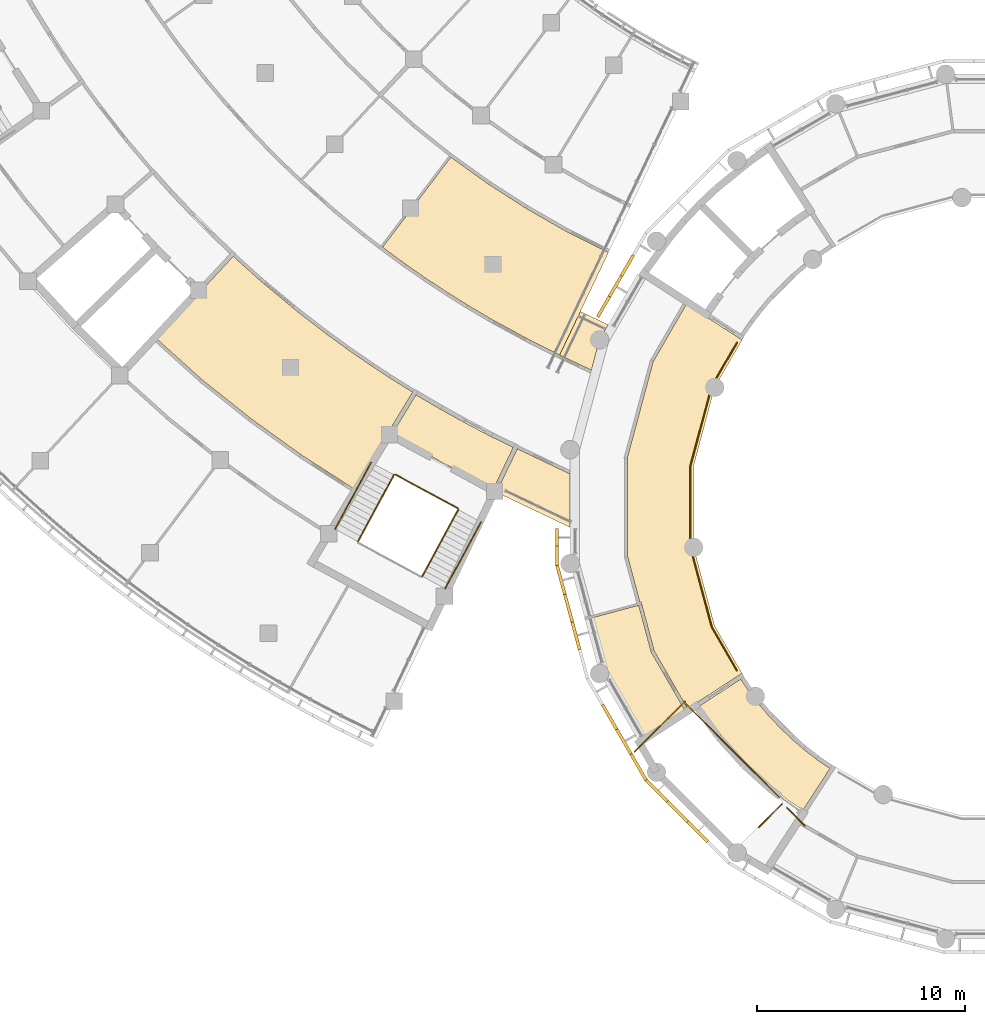
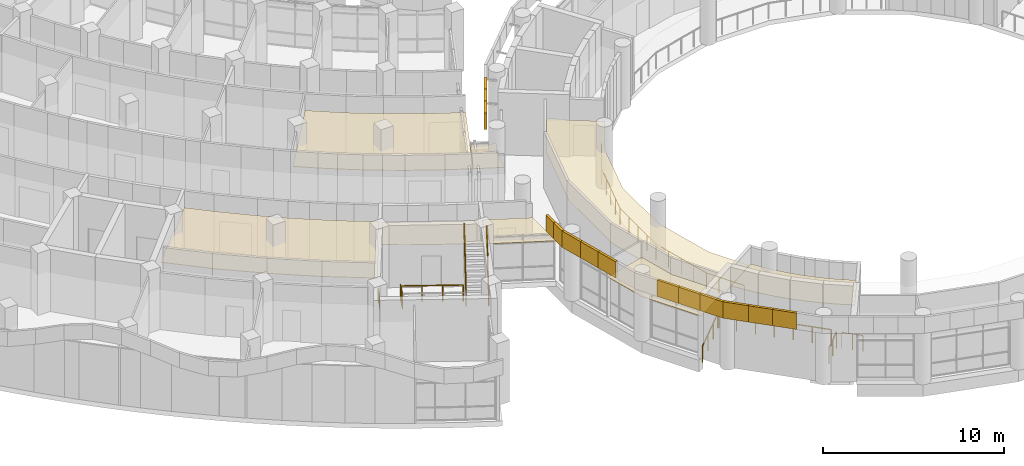
# One storey, part 92 of 109: 22 coverings, 10 railings.
"""IFC4 building model written with IfcOpenShell, lengths in metres."""

from ifc_helpers import new_model, si_unit, direction, frame, origin, origin_2d, place, context, subcontext, project, spatial, polyline, circle, outline, extrude, material, layer, layer_set, type_object, element, save


model = new_model("IFC4")

# Units and contexts
model_context = context("Model", 3, precision=1e-05, world=origin(), true_north=direction((0.0, 1.0)))
body_context = subcontext(model_context, "Body", "Model", "MODEL_VIEW")
ifc_project = project(units=[si_unit("LENGTHUNIT", "METRE"), si_unit("AREAUNIT", "SQUARE_METRE"), si_unit("VOLUMEUNIT", "CUBIC_METRE"), si_unit("PLANEANGLEUNIT", "RADIAN"), si_unit("MASSUNIT", "GRAM", prefix="KILO")], contexts=[model_context])

# Site, building, storey
site_placement = place(None, origin())
site = spatial("IfcSite", under=ifc_project, at=site_placement, CompositionType="ELEMENT")
building_placement = place(site_placement, origin())
building = spatial("IfcBuilding", under=site, at=building_placement, Name="Bougainvillea Quay General Hospital", CompositionType="ELEMENT")
storey_placement = place(building_placement, frame((0.0, 0.0, 12.60009765625)))
storey = spatial("IfcBuildingStorey", under=building, at=storey_placement, Name="L02", CompositionType="ELEMENT", Elevation=12.60009765625)

# Coverings
ifc_material_1 = material(Name="Powder-coated aluminium fascia, white", Category="aluminium")
ifc_layer_1 = layer(ifc_material_1, 0.14990234375)
ifc_layer_set_1 = layer_set([ifc_layer_1], Name="Powder-coated aluminium fascia, white")
covering_type_1 = type_object("IfcCoveringType", Name="Aluminium fascia band white 150x1100", PredefinedType="CLADDING", material=ifc_layer_set_1)
covering_1_placement = place(storey_placement, frame((87.830078125, 72.93994140625, 3.64990234375), z_axis=(0.0, 0.0, 1.0), x_axis=(0.0, -1.0, 0.0)))
element("IfcCovering", 1, at=covering_1_placement, inside=storey, type_object=covering_type_1, Name="Fascia band white e0 1", PredefinedType="CLADDING", context=body_context, shape_type="SweptSolid", body=[
    extrude(outline(polyline([(0.0, 0.0), (0.84033203125, 0.0), (0.84033203125, -0.150146484375), (0.0, -0.150146484375), (0.0, 0.0)])), origin(), (0.0, 0.0, 1.0), 1.10009765625),
])
covering_2_placement = place(storey_placement, frame((87.830078125, 72.099609375, 3.64990234375), z_axis=(0.0, 0.0, 1.0), x_axis=(0.0, -1.0, 0.0)))
element("IfcCovering", 2, at=covering_2_placement, inside=storey, type_object=covering_type_1, Name="Fascia band white e0 2", PredefinedType="CLADDING", context=body_context, shape_type="SweptSolid", body=[
    extrude(outline(polyline([(0.0, 0.0), (0.9130859375, 0.0), (0.932861328125, -0.150146484375), (0.0, -0.150146484375), (0.0, 0.0)])), origin(), (0.0, 0.0, 1.0), 1.10009765625),
])
covering_3_placement = place(storey_placement, frame((87.830078125, 71.1865234375, 3.64990234375), z_axis=(0.0, 0.0, 1.0), x_axis=(0.258905250026, -0.965902723626, 0.0)))
element("IfcCovering", 3, at=covering_3_placement, inside=storey, type_object=covering_type_1, Name="Fascia band white e0 3", PredefinedType="CLADDING", context=body_context, shape_type="SweptSolid", body=[
    extrude(outline(polyline([(0.0, 0.0), (1.4427484812010494, -1.1102230246251565e-16), (1.442696922251136, -0.1501250372529882), (-0.019772609412171165, -0.15014685065487446), (0.0, 0.0)])), origin(), (0.0, 0.0, 1.0), 1.10009765625),
])
covering_4_placement = place(storey_placement, frame((88.20361328125, 69.79296875, 3.64990234375), z_axis=(0.0, 0.0, 1.0), x_axis=(0.258848876884, -0.965917832393, 0.0)))
element("IfcCovering", 4, at=covering_4_placement, inside=storey, type_object=covering_type_1, Name="Fascia band white e0 4", PredefinedType="CLADDING", context=body_context, shape_type="SweptSolid", body=[
    extrude(outline(polyline([(0.0, 0.0), (1.3704379651734342, -5.551115123125783e-17), (1.3703951679276272, -0.15012504000642976), (-4.279724580715655e-05, -0.15012504000642976), (0.0, 0.0)])), origin(), (0.0, 0.0, 1.0), 1.10009765625),
])
covering_5_placement = place(storey_placement, frame((88.558349609375, 68.46923828125, 3.64990234375), z_axis=(0.0, 0.0, 1.0), x_axis=(0.258804342537, -0.96592976571, 0.0)))
element("IfcCovering", 5, at=covering_5_placement, inside=storey, type_object=covering_type_1, Name="Fascia band white e0 5", PredefinedType="CLADDING", context=body_context, shape_type="SweptSolid", body=[
    extrude(outline(polyline([(0.0, 0.0), (1.3706737864135623, -5.551115123125783e-17), (1.370637910749763, -0.15012504182005457), (-3.5875663799166124e-05, -0.15012504182005454), (0.0, 0.0)])), origin(), (0.0, 0.0, 1.0), 1.10009765625),
])
for number, where, z_axis, x_axis, name in (
    (6, (90.0078125, 64.501953125, 3.64990234375), (0.0, 0.0, 1.0), (0.499989712218, -0.866031343357, 0.0), "Fascia band white e0 8"),
    (7, (90.693115234375, 63.31494140625, 3.64990234375), (0.0, 0.0, 1.0), (0.499989712218, -0.866031343357, 0.0), "Fascia band white e0 9"),
):
    element("IfcCovering", number, at=place(storey_placement, frame(where, z_axis=z_axis, x_axis=x_axis)), inside=storey, type_object=covering_type_1, Name=name, PredefinedType="CLADDING", context=body_context, shape_type="SweptSolid", body=[
        extrude(outline(polyline([(0.0, 0.0), (1.3706336703115394, 0.0), (1.3706036643327093, -0.14995740144450087), (-3.0005978829975022e-05, -0.14995740144450084), (0.0, 0.0)])), origin(), (0.0, 0.0, 1.0), 1.10009765625),
    ])
covering_6_placement = place(storey_placement, frame((91.37841796875, 62.1279296875, 3.64990234375), z_axis=(0.0, 0.0, 1.0), x_axis=(0.500015396624, -0.866016514357, 0.0)))
element("IfcCovering", 8, at=covering_6_placement, inside=storey, type_object=covering_type_1, Name="Fascia band white e0 10", PredefinedType="CLADDING", context=body_context, shape_type="SweptSolid", body=[
    extrude(outline(polyline([(0.0, 0.0), (1.4428266644293797, 0.0), (1.4626866906226388, -0.15016746703797101), (-3.44533927520152e-05, -0.1499574004886377), (0.0, 0.0)])), origin(), (0.0, 0.0, 1.0), 1.10009765625),
])
covering_7_placement = place(storey_placement, frame((92.099853515625, 60.87841796875, 3.64990234375), z_axis=(0.0, 0.0, 1.0), x_axis=(0.707106781187, -0.707106781187, 0.0)))
element("IfcCovering", 9, at=covering_7_placement, inside=storey, type_object=covering_type_1, Name="Fascia band white e0 11", PredefinedType="CLADDING", context=body_context, shape_type="SweptSolid", body=[
    extrude(outline(polyline([(0.0, 0.0), (1.4428707219621983, 0.0), (1.4428707219621983, -0.15019113760554115), (-0.01968021803107091, -0.1501911376055411), (0.0, 0.0)])), origin(), (0.0, 0.0, 1.0), 1.10009765625),
])
for number, where, z_axis, x_axis, name in (
    (10, (93.1201171875, 59.858154296875, 3.64990234375), (0.0, 0.0, 1.0), (0.707106781187, -0.707106781187, 0.0), "Fascia band white e0 12"),
    (11, (94.089111328125, 58.88916015625, 3.64990234375), (0.0, 0.0, 1.0), (0.707106781187, -0.707106781187, 0.0), "Fascia band white e0 13"),
):
    element("IfcCovering", number, at=place(storey_placement, frame(where, z_axis=z_axis, x_axis=x_axis)), inside=storey, type_object=covering_type_1, Name=name, PredefinedType="CLADDING", context=body_context, shape_type="SweptSolid", body=[
        extrude(outline(polyline([(0.0, 0.0), (1.370364655531937, 0.0), (1.370364655531937, -0.15019113760554115), (0.0, -0.15019113760554112), (0.0, 0.0)])), origin(), (0.0, 0.0, 1.0), 1.10009765625),
    ])
for number, where, z_axis, x_axis, name in (
    (12, (91.490478515625, 86.06591796875, 3.64990234375), (0.0, 0.0, 1.0), (-0.499986657325, -0.866033107044, 0.0), "Fascia band white e1 40"),
    (13, (90.917236328125, 85.072998046875, 3.64990234375), (0.0, 0.0, 1.0), (-0.499986657325, -0.866033107044, 0.0), "Fascia band white e1 41"),
):
    element("IfcCovering", number, at=place(storey_placement, frame(where, z_axis=z_axis, x_axis=x_axis)), inside=storey, type_object=covering_type_1, Name=name, PredefinedType="CLADDING", context=body_context, shape_type="SweptSolid", body=[
        extrude(outline(polyline([(0.0, 0.0), (1.1465149701534827, 0.0), (1.1465444471637856, -0.14995740154941278), (2.9477010302911277e-05, -0.14995740154941273), (0.0, 0.0)])), origin(), (0.0, 0.0, 1.0), 1.10009765625),
    ])
covering_8_placement = place(storey_placement, frame((90.343994140625, 84.080078125, 3.64990234375), z_axis=(0.0, 0.0, 1.0), x_axis=(-0.499894466757, -0.866086324858, 0.0)))
element("IfcCovering", 14, at=covering_8_placement, inside=storey, type_object=covering_type_1, Name="Fascia band white e1 42", PredefinedType="CLADDING", context=body_context, shape_type="SweptSolid", body=[
    extrude(outline(polyline([(0.0, 0.0), (1.1467264105144213, 0.0), (1.1467399248169607, -0.14995740383758843), (1.351430253937469e-05, -0.1499574038375884), (0.0, 0.0)])), origin(), (0.0, 0.0, 1.0), 1.10009765625),
])

# Railings
ifc_material_2 = material(Name="Stainless steel guard, brushed grade 316", Category="steel")
railing_type_1 = type_object("IfcRailingType", Name="Stainless steel guard 1100", PredefinedType="GUARDRAIL", material=ifc_material_2)
railing_1_placement = place(storey_placement, frame((96.409912109375, 66.111083984375, 0.0)))
element("IfcRailing", 15, at=railing_1_placement, inside=storey, type_object=railing_type_1, Name="Guard 0-05", PredefinedType="GUARDRAIL", context=body_context, shape_type="SweptSolid", body=[
    extrude(circle(Radius=0.02392578125, at=origin_2d()), frame((0.0, 0.0, 1.076171875), z_axis=(-0.500270859977, 0.865868966217, 0.0), x_axis=(-0.865868966217, -0.500270859977, 0.0)), (0.0, 0.0, 1.0), 2.414794921875),
    extrude(circle(Radius=0.02392578125, at=origin_2d()), frame((-1.2080078125, 2.0908203125, 1.076171875), z_axis=(-0.258899619871, 0.965904232743, 0.0), x_axis=(-0.965904232743, -0.258899619871, 0.0)), (0.0, 0.0, 1.0), 3.954833984375),
    extrude(circle(Radius=0.02392578125, at=origin_2d()), frame((-2.23193359375, 5.910888671875, 1.076171875), z_axis=(0.0, 1.0, 0.0), x_axis=(-1.0, 0.0, 0.0)), (0.0, 0.0, 1.0), 3.9560546875),
    extrude(circle(Radius=0.02392578125, at=origin_2d()), frame((-2.23193359375, 9.866943359375, 1.076171875), z_axis=(0.258899619871, 0.965904232743, 0.0), x_axis=(-0.965904232743, 0.258899619871, 0.0)), (0.0, 0.0, 1.0), 3.954833984375),
    extrude(circle(Radius=0.02392578125, at=origin_2d()), frame((-1.2080078125, 13.68701171875, 1.076171875), z_axis=(0.500270859977, 0.865868966217, 0.0), x_axis=(-0.865868966217, 0.500270859977, 0.0)), (0.0, 0.0, 1.0), 2.414794921875),
    extrude(circle(Radius=0.02099609375, at=origin_2d()), origin(), (0.0, 0.0, 1.0), 1.052001953125),
    extrude(circle(Radius=0.02099609375, at=origin_2d()), frame((-0.402587890625, 0.697021484375, 0.0)), (0.0, 0.0, 1.0), 1.052001953125),
    extrude(circle(Radius=0.02099609375, at=origin_2d()), frame((-0.805419921875, 1.393798828125, 0.0)), (0.0, 0.0, 1.0), 1.052001953125),
    extrude(circle(Radius=0.02099609375, at=origin_2d()), frame((-1.2080078125, 2.0908203125, 0.0)), (0.0, 0.0, 1.0), 1.052001953125),
    extrude(circle(Radius=0.02099609375, at=origin_2d()), frame((-1.4638671875, 3.0458984375, 0.0)), (0.0, 0.0, 1.0), 1.052001953125),
    extrude(circle(Radius=0.02099609375, at=origin_2d()), frame((-1.719970703125, 4.0009765625, 0.0)), (0.0, 0.0, 1.0), 1.052001953125),
    extrude(circle(Radius=0.02099609375, at=origin_2d()), frame((-1.97607421875, 4.955810546875, 0.0)), (0.0, 0.0, 1.0), 1.052001953125),
    extrude(circle(Radius=0.02099609375, at=origin_2d()), frame((-2.23193359375, 5.910888671875, 0.0)), (0.0, 0.0, 1.0), 1.052001953125),
    extrude(circle(Radius=0.02099609375, at=origin_2d()), frame((-2.23193359375, 6.89990234375, 0.0)), (0.0, 0.0, 1.0), 1.052001953125),
    extrude(circle(Radius=0.02099609375, at=origin_2d()), frame((-2.23193359375, 7.888916015625, 0.0)), (0.0, 0.0, 1.0), 1.052001953125),
    extrude(circle(Radius=0.02099609375, at=origin_2d()), frame((-2.23193359375, 8.8779296875, 0.0)), (0.0, 0.0, 1.0), 1.052001953125),
    extrude(circle(Radius=0.02099609375, at=origin_2d()), frame((-2.23193359375, 9.866943359375, 0.0)), (0.0, 0.0, 1.0), 1.052001953125),
    extrude(circle(Radius=0.02099609375, at=origin_2d()), frame((-1.97607421875, 10.822021484375, 0.0)), (0.0, 0.0, 1.0), 1.052001953125),
    extrude(circle(Radius=0.02099609375, at=origin_2d()), frame((-1.719970703125, 11.77685546875, 0.0)), (0.0, 0.0, 1.0), 1.052001953125),
    extrude(circle(Radius=0.02099609375, at=origin_2d()), frame((-1.4638671875, 12.73193359375, 0.0)), (0.0, 0.0, 1.0), 1.052001953125),
    extrude(circle(Radius=0.02099609375, at=origin_2d()), frame((-1.2080078125, 13.68701171875, 0.0)), (0.0, 0.0, 1.0), 1.052001953125),
    extrude(circle(Radius=0.02099609375, at=origin_2d()), frame((-0.805419921875, 14.384033203125, 0.0)), (0.0, 0.0, 1.0), 1.052001953125),
    extrude(circle(Radius=0.02099609375, at=origin_2d()), frame((-0.402587890625, 15.080810546875, 0.0)), (0.0, 0.0, 1.0), 1.052001953125),
    extrude(circle(Radius=0.02099609375, at=origin_2d()), frame((0.0, 15.77783203125, 0.0)), (0.0, 0.0, 1.0), 1.052001953125),
])
ifc_material_3 = material(Name="Stainless steel 304 balustrade", Category="steel")
railing_type_2 = type_object("IfcRailingType", Name="Stair guard 1100", PredefinedType="GUARDRAIL", material=ifc_material_3)
railing_2_placement = place(storey_placement, frame((79.900634765625, 75.52734375, 0.14990234375)))
element("IfcRailing", 16, at=railing_2_placement, inside=storey, type_object=railing_type_2, Name="L02 ST-W1 stair guard 1", PredefinedType="GUARDRAIL", context=body_context, shape_type="SweptSolid", body=[
    extrude(circle(Radius=0.02392578125, at=origin_2d()), frame((0.0, 0.0, 1.076171875), z_axis=(-0.419359371262, -0.775338896761, 0.472215324724), x_axis=(0.879584397313, -0.475742880139, 0.0)), (0.0, 0.0, 1.0), 4.12939453125),
    extrude(circle(Radius=0.02099609375, at=origin_2d()), origin(), (0.0, 0.0, 1.0), 1.052001953125),
    extrude(circle(Radius=0.02099609375, at=origin_2d()), frame((-0.432861328125, -0.80029296875, 0.487548828125)), (0.0, 0.0, 1.0), 1.052001953125),
    extrude(circle(Radius=0.02099609375, at=origin_2d()), frame((-0.86572265625, -1.600830078125, 0.97509765625)), (0.0, 0.0, 1.0), 1.052001953125),
    extrude(circle(Radius=0.02099609375, at=origin_2d()), frame((-1.298828125, -2.4013671875, 1.46240234375)), (0.0, 0.0, 1.0), 1.052001953125),
    extrude(circle(Radius=0.02099609375, at=origin_2d()), frame((-1.731689453125, -3.20166015625, 1.949951171875)), (0.0, 0.0, 1.0), 1.052001953125),
])
railing_3_placement = place(storey_placement, frame((81.2666015625, 70.650146484375, 2.25)))
element("IfcRailing", 17, at=railing_3_placement, inside=storey, type_object=railing_type_2, Name="L02 ST-W1 stair guard 3", PredefinedType="GUARDRAIL", context=body_context, shape_type="SweptSolid", body=[
    extrude(circle(Radius=0.02392578125, at=origin_2d()), frame((0.0, 0.0, 1.076171875), z_axis=(0.419359371262, 0.775338896761, 0.472215324724), x_axis=(-0.879584397313, 0.475742880139, 0.0)), (0.0, 0.0, 1.0), 4.12939453125),
    extrude(circle(Radius=0.02099609375, at=origin_2d()), origin(), (0.0, 0.0, 1.0), 1.052001953125),
    extrude(circle(Radius=0.02099609375, at=origin_2d()), frame((0.432861328125, 0.80029296875, 0.487548828125)), (0.0, 0.0, 1.0), 1.052001953125),
    extrude(circle(Radius=0.02099609375, at=origin_2d()), frame((0.86572265625, 1.600830078125, 0.97509765625)), (0.0, 0.0, 1.0), 1.052001953125),
    extrude(circle(Radius=0.02099609375, at=origin_2d()), frame((1.298828125, 2.4013671875, 1.46240234375)), (0.0, 0.0, 1.0), 1.052001953125),
    extrude(circle(Radius=0.02099609375, at=origin_2d()), frame((1.731689453125, 3.20166015625, 1.949951171875)), (0.0, 0.0, 1.0), 1.052001953125),
])
railing_4_placement = place(storey_placement, frame((79.96826171875, 75.547607421875, 0.0)))
element("IfcRailing", 18, at=railing_4_placement, inside=storey, type_object=railing_type_2, Name="L02 ST-W1 stair guard 4", PredefinedType="GUARDRAIL", context=body_context, shape_type="SweptSolid", body=[
    extrude(circle(Radius=0.02392578125, at=origin_2d()), frame((0.0, 0.0, 1.076171875), z_axis=(0.879580645355, -0.475749816939, 0.0), x_axis=(0.475749816939, 0.879580645355, 0.0)), (0.0, 0.0, 1.0), 3.421875),
    extrude(circle(Radius=0.02099609375, at=origin_2d()), origin(), (0.0, 0.0, 1.0), 1.052001953125),
    extrude(circle(Radius=0.02099609375, at=origin_2d()), frame((1.003173828125, -0.542724609375, 0.0)), (0.0, 0.0, 1.0), 1.052001953125),
    extrude(circle(Radius=0.02099609375, at=origin_2d()), frame((2.006591796875, -1.085205078125, 0.0)), (0.0, 0.0, 1.0), 1.052001953125),
    extrude(circle(Radius=0.02099609375, at=origin_2d()), frame((3.009765625, -1.6279296875, 0.0)), (0.0, 0.0, 1.0), 1.052001953125),
])
railing_5_placement = place(storey_placement, frame((93.911865234375, 64.6220703125, 0.0)))
element("IfcRailing", 19, at=railing_5_placement, inside=storey, type_object=railing_type_2, Name="L02 ST-H2 top well guard 3", PredefinedType="GUARDRAIL", context=body_context, shape_type="SweptSolid", body=[
    extrude(circle(Radius=0.02392578125, at=origin_2d()), frame((0.0, 0.0, 1.076171875), z_axis=(-0.707106781187, -0.707106781187, 0.0), x_axis=(0.707106781187, -0.707106781187, 0.0)), (0.0, 0.0, 1.0), 3.426025390625),
    extrude(circle(Radius=0.02099609375, at=origin_2d()), origin(), (0.0, 0.0, 1.0), 1.052001953125),
    extrude(circle(Radius=0.02099609375, at=origin_2d()), frame((-0.8076171875, -0.8076171875, 0.0)), (0.0, 0.0, 1.0), 1.052001953125),
    extrude(circle(Radius=0.02099609375, at=origin_2d()), frame((-1.614990234375, -1.614990234375, 0.0)), (0.0, 0.0, 1.0), 1.052001953125),
    extrude(circle(Radius=0.02099609375, at=origin_2d()), frame((-2.422607421875, -2.422607421875, 0.0)), (0.0, 0.0, 1.0), 1.052001953125),
])
railing_6_placement = place(storey_placement, frame((98.576904296875, 59.677490234375, 0.0)))
element("IfcRailing", 20, at=railing_6_placement, inside=storey, type_object=railing_type_2, Name="L02 ST-H2 top well guard 1", PredefinedType="GUARDRAIL", context=body_context, shape_type="SweptSolid", body=[
    extrude(circle(Radius=0.02392578125, at=origin_2d()), frame((0.0, 0.0, 1.076171875), z_axis=(-0.707106781187, -0.707106781187, 0.0), x_axis=(0.707106781187, -0.707106781187, 0.0)), (0.0, 0.0, 1.0), 1.5654296875),
    extrude(circle(Radius=0.02099609375, at=origin_2d()), origin(), (0.0, 0.0, 1.0), 1.052001953125),
    extrude(circle(Radius=0.02099609375, at=origin_2d()), frame((-0.553466796875, -0.553466796875, 0.0)), (0.0, 0.0, 1.0), 1.052001953125),
    extrude(circle(Radius=0.02099609375, at=origin_2d()), frame((-1.10693359375, -1.10693359375, 0.0)), (0.0, 0.0, 1.0), 1.052001953125),
])
railing_7_placement = place(storey_placement, frame((98.444091796875, 60.01904296875, 0.0)))
element("IfcRailing", 21, at=railing_7_placement, inside=storey, type_object=railing_type_2, Name="L02 ST-H2 top well guard 2", PredefinedType="GUARDRAIL", context=body_context, shape_type="SweptSolid", body=[
    extrude(circle(Radius=0.02392578125, at=origin_2d()), frame((0.0, 0.0, 1.076171875), z_axis=(-0.707106781187, 0.707106781187, 0.0), x_axis=(-0.707106781187, -0.707106781187, 0.0)), (0.0, 0.0, 1.0), 6.509765625),
    extrude(circle(Radius=0.02099609375, at=origin_2d()), origin(), (0.0, 0.0, 1.0), 1.052001953125),
    extrude(circle(Radius=0.02099609375, at=origin_2d()), frame((-0.76708984375, 0.76708984375, 0.0)), (0.0, 0.0, 1.0), 1.052001953125),
    extrude(circle(Radius=0.02099609375, at=origin_2d()), frame((-1.534423828125, 1.534423828125, 0.0)), (0.0, 0.0, 1.0), 1.052001953125),
    extrude(circle(Radius=0.02099609375, at=origin_2d()), frame((-2.301513671875, 2.301513671875, 0.0)), (0.0, 0.0, 1.0), 1.052001953125),
    extrude(circle(Radius=0.02099609375, at=origin_2d()), frame((-3.068603515625, 3.068603515625, 0.0)), (0.0, 0.0, 1.0), 1.052001953125),
    extrude(circle(Radius=0.02099609375, at=origin_2d()), frame((-3.8359375, 3.8359375, 0.0)), (0.0, 0.0, 1.0), 1.052001953125),
    extrude(circle(Radius=0.02099609375, at=origin_2d()), frame((-4.60302734375, 4.60302734375, 0.0)), (0.0, 0.0, 1.0), 1.052001953125),
])
railing_8_placement = place(storey_placement, frame((99.680419921875, 58.641357421875, 0.0)))
element("IfcRailing", 22, at=railing_8_placement, inside=storey, type_object=railing_type_2, Name="L02 ST-H2 top well guard 4", PredefinedType="GUARDRAIL", context=body_context, shape_type="SweptSolid", body=[
    extrude(circle(Radius=0.02392578125, at=origin_2d()), frame((0.0, 0.0, 1.076171875), z_axis=(-0.707207429791, 0.707006118254, 0.0), x_axis=(-0.707006118254, -0.707207429791, 0.0)), (0.0, 0.0, 1.0), 1.212646484375),
    extrude(circle(Radius=0.02099609375, at=origin_2d()), origin(), (0.0, 0.0, 1.0), 1.052001953125),
    extrude(circle(Radius=0.02099609375, at=origin_2d()), frame((-0.4287109375, 0.4287109375, 0.0)), (0.0, 0.0, 1.0), 1.052001953125),
    extrude(circle(Radius=0.02099609375, at=origin_2d()), frame((-0.857666015625, 0.857421875, 0.0)), (0.0, 0.0, 1.0), 1.052001953125),
])
ifc_material_4 = material(Name="Stainless steel 304 handrail", Category="steel")
railing_type_3 = type_object("IfcRailingType", Name="Stair handrail 900", PredefinedType="HANDRAIL", material=ifc_material_4)
railing_9_placement = place(storey_placement, frame((78.801025390625, 76.1220703125, 0.14990234375)))
element("IfcRailing", 23, at=railing_9_placement, inside=storey, type_object=railing_type_3, Name="L02 ST-W1 stair handrail 1", PredefinedType="HANDRAIL", context=body_context, shape_type="SweptSolid", body=[
    extrude(circle(Radius=0.02392578125, at=origin_2d()), frame((0.0, 0.0, 0.8759765625), z_axis=(-0.419340148269, -0.775362476321, 0.472193678869), x_axis=(0.8795995765, -0.475714814801, 0.0)), (0.0, 0.0, 1.0), 4.129638671875),
    extrude(circle(Radius=0.02099609375, at=origin_2d()), origin(), (0.0, 0.0, 1.0), 0.851806640625),
    extrude(circle(Radius=0.02099609375, at=origin_2d()), frame((-0.432861328125, -0.800537109375, 0.487548828125)), (0.0, 0.0, 1.0), 0.851806640625),
    extrude(circle(Radius=0.02099609375, at=origin_2d()), frame((-0.86572265625, -1.60107421875, 0.97509765625)), (0.0, 0.0, 1.0), 0.851806640625),
    extrude(circle(Radius=0.02099609375, at=origin_2d()), frame((-1.298828125, -2.4013671875, 1.46240234375)), (0.0, 0.0, 1.0), 0.851806640625),
    extrude(circle(Radius=0.02099609375, at=origin_2d()), frame((-1.731689453125, -3.201904296875, 1.949951171875)), (0.0, 0.0, 1.0), 0.851806640625),
])
railing_10_placement = place(storey_placement, frame((82.3662109375, 70.055419921875, 2.25)))
element("IfcRailing", 24, at=railing_10_placement, inside=storey, type_object=railing_type_3, Name="L02 ST-W1 stair handrail 2", PredefinedType="HANDRAIL", context=body_context, shape_type="SweptSolid", body=[
    extrude(circle(Radius=0.02392578125, at=origin_2d()), frame((0.0, 0.0, 0.8759765625), z_axis=(0.419291422251, 0.775381698085, 0.472205384872), x_axis=(-0.879627639789, 0.475662921951, 0.0)), (0.0, 0.0, 1.0), 4.12939453125),
    extrude(circle(Radius=0.02099609375, at=origin_2d()), origin(), (0.0, 0.0, 1.0), 0.851806640625),
    extrude(circle(Radius=0.02099609375, at=origin_2d()), frame((0.432861328125, 0.800537109375, 0.487548828125)), (0.0, 0.0, 1.0), 0.851806640625),
    extrude(circle(Radius=0.02099609375, at=origin_2d()), frame((0.86572265625, 1.60107421875, 0.97509765625)), (0.0, 0.0, 1.0), 0.851806640625),
    extrude(circle(Radius=0.02099609375, at=origin_2d()), frame((1.298583984375, 2.4013671875, 1.46240234375)), (0.0, 0.0, 1.0), 0.851806640625),
    extrude(circle(Radius=0.02099609375, at=origin_2d()), frame((1.7314453125, 3.201904296875, 1.949951171875)), (0.0, 0.0, 1.0), 0.851806640625),
])

# Coverings
ifc_material_5 = material(Name="Mineral fibre ceiling tile")
ifc_layer_2 = layer(ifc_material_5, 0.030029296875)
ifc_layer_set_2 = layer_set([ifc_layer_2], Name="Mineral fibre ceiling tile")
covering_type_2 = type_object("IfcCoveringType", Name="Suspended ceiling mineral fibre tile", PredefinedType="CEILING", material=ifc_layer_set_2)
covering_9_placement = place(storey_placement, frame((0.0, 0.0, 2.39990234375)))
element("IfcCovering", 25, at=covering_9_placement, inside=storey, type_object=covering_type_2, Name="Ceiling Gallery Corridor", PredefinedType="CEILING", context=body_context, shape_type="SweptSolid", body=[
    extrude(outline(polyline([(94.035888671875, 83.84814453125), (92.373779296875, 80.967041015625), (91.14306640625, 76.375244140625), (91.14306640625, 71.624755859375), (91.739013671875, 69.3994140625), (91.797119140625, 69.414794921875), (92.429931640625, 67.053955078125), (94.04833984375, 64.25), (94.3125, 64.42138671875), (94.300048828125, 64.439697265625), (94.302001953125, 64.441162109375), (94.30078125, 64.443359375), (94.383544921875, 64.4970703125), (94.46484375, 64.552978515625), (94.46630859375, 64.55078125), (96.564453125, 65.9130859375), (96.645751953125, 65.968994140625), (96.647216796875, 65.966796875), (96.6494140625, 65.96826171875), (96.703125, 65.885498046875), (96.76416015625, 65.796875), (95.342041015625, 68.260009765625), (94.327880859375, 72.0419921875), (94.327880859375, 75.9580078125), (95.342041015625, 79.739990234375), (96.76416015625, 82.203125), (96.703125, 82.114501953125), (96.6494140625, 82.03173828125), (96.647216796875, 82.033203125), (96.645751953125, 82.031005859375), (96.564453125, 82.0869140625), (94.888427734375, 83.175048828125), (94.943115234375, 83.259033203125), (94.035888671875, 83.84814453125)])), origin(), (0.0, 0.0, 1.0), 0.030029296875),
])
covering_10_placement = place(storey_placement, frame((0.0, 0.0, 2.699951171875)))
element("IfcCovering", 26, at=covering_10_placement, inside=storey, type_object=covering_type_2, Name="Ceiling Smoke-proof Vestibule ST-H2", PredefinedType="CEILING", context=body_context, shape_type="SweptSolid", body=[
    extrude(outline(polyline([(99.5859375, 59.379638671875), (100.89306640625, 61.392822265625), (100.404541015625, 61.728759765625), (100.4013671875, 61.724853515625), (100.32421875, 61.7841796875), (100.243896484375, 61.83935546875), (100.246826171875, 61.843505859375), (99.7744140625, 62.205810546875), (99.77099609375, 62.201904296875), (99.697021484375, 62.265380859375), (99.619873046875, 62.324462890625), (99.622802734375, 62.32861328125), (99.170166015625, 62.71533203125), (99.166748046875, 62.711669921875), (99.09619140625, 62.778564453125), (99.02197265625, 62.842041015625), (99.025390625, 62.845703125), (98.593017578125, 63.25537109375), (98.589111328125, 63.251708984375), (98.522216796875, 63.322265625), (98.45166015625, 63.38916015625), (98.455322265625, 63.39306640625), (98.045654296875, 63.8251953125), (98.0419921875, 63.822021484375), (97.978515625, 63.89599609375), (97.91162109375, 63.966796875), (97.915283203125, 63.97021484375), (97.528564453125, 64.4228515625), (97.5244140625, 64.419677734375), (97.46533203125, 64.4970703125), (97.402099609375, 64.571044921875), (97.406005859375, 64.574462890625), (97.04345703125, 65.046875), (97.039306640625, 65.0439453125), (96.984130859375, 65.124267578125), (96.9248046875, 65.201416015625), (96.9287109375, 65.20458984375), (96.5927734375, 65.693115234375), (94.57958984375, 64.385986328125), (95.0419921875, 63.7138671875), (95.599853515625, 62.987060546875), (96.1953125, 62.2900390625), (96.82568359375, 61.625732421875), (97.489990234375, 60.995361328125), (98.18701171875, 60.399658203125), (98.913818359375, 59.841796875), (99.5859375, 59.379638671875)])), origin(), (0.0, 0.0, 1.0), 0.030029296875),
])
covering_11_placement = place(storey_placement, frame((0.0, 0.0, 2.699951171875)))
element("IfcCovering", 27, at=covering_11_placement, inside=storey, type_object=covering_type_2, Name="Ceiling Smoke-proof Vestibule ST-W1", PredefinedType="CEILING", context=body_context, shape_type="SweptSolid", body=[
    extrude(outline(polyline([(85.647216796875, 76.85302734375), (84.586181640625, 77.376220703125), (84.585205078125, 77.3740234375), (84.49755859375, 77.419921875), (84.4091796875, 77.463623046875), (84.41015625, 77.4658203125), (83.36083984375, 78.01611328125), (83.359619140625, 78.013916015625), (83.2734375, 78.06201171875), (83.18603515625, 78.10791015625), (83.187255859375, 78.110107421875), (82.152587890625, 78.686279296875), (82.151123046875, 78.68408203125), (82.066162109375, 78.734375), (81.97998046875, 78.7822265625), (81.981201171875, 78.784423828125), (80.962158203125, 79.38671875), (79.819091796875, 77.507568359375), (80.970703125, 76.82666015625), (82.2265625, 76.126953125), (83.500244140625, 75.459228515625), (84.700439453125, 74.867431640625), (85.647216796875, 76.85302734375)])), origin(), (0.0, 0.0, 1.0), 0.030029296875),
])
covering_12_placement = place(storey_placement, frame((0.0, 0.0, 2.699951171875)))
element("IfcCovering", 28, at=covering_12_placement, inside=storey, type_object=covering_type_2, Name="Ceiling Gallery Lounge 02H0211", PredefinedType="CEILING", context=body_context, shape_type="SweptSolid", body=[
    extrude(outline(polyline([(89.799072265625, 65.964111328125), (91.68994140625, 62.6884765625), (93.93310546875, 64.144775390625), (93.919189453125, 64.166015625), (93.92236328125, 64.168212890625), (92.32373046875, 66.937744140625), (92.306884765625, 66.93310546875), (92.2900390625, 66.99609375), (92.257568359375, 67.052490234375), (92.272705078125, 67.061279296875), (91.691162109375, 69.230712890625), (91.633544921875, 69.21484375), (91.62646484375, 69.2392578125), (89.10302734375, 68.562744140625), (89.090087890625, 68.611083984375), (89.799072265625, 65.964111328125)])), origin(), (0.0, 0.0, 1.0), 0.030029296875),
])
covering_13_placement = place(storey_placement, frame((0.0, 0.0, 2.699951171875)))
element("IfcCovering", 29, at=covering_13_placement, inside=storey, type_object=covering_type_2, Name="Ceiling Case Endoscopy Waiting Hall 02W101", PredefinedType="CEILING", context=body_context, shape_type="SweptSolid", body=[
    extrude(outline(polyline([(68.398193359375, 82.14697265625), (70.657470703125, 80.115234375), (73.0322265625, 78.2197265625), (75.501220703125, 76.447998046875), (78.014892578125, 74.830078125), (79.5859375, 77.4130859375), (79.5439453125, 77.437744140625), (79.543701171875, 77.439453125), (79.645751953125, 77.60986328125), (79.64697265625, 77.609375), (80.80419921875, 79.511962890625), (79.78125, 80.152587890625), (79.7802734375, 80.151123046875), (79.655517578125, 80.231201171875), (79.656494140625, 80.232666015625), (78.8359375, 80.77294921875), (78.8349609375, 80.771728515625), (78.712158203125, 80.8544921875), (78.713134765625, 80.85595703125), (77.732421875, 81.53369140625), (77.7314453125, 81.5322265625), (77.610595703125, 81.617919921875), (77.61181640625, 81.619384765625), (76.648681640625, 82.321533203125), (76.6474609375, 82.31982421875), (76.5888671875, 82.364990234375), (76.529296875, 82.40869140625), (76.530517578125, 82.41015625), (75.289306640625, 83.368408203125), (75.28759765625, 83.366455078125), (75.23095703125, 83.41357421875), (75.1728515625, 83.45849609375), (75.174560546875, 83.460693359375), (73.517578125, 84.840087890625), (73.515625, 84.838134765625), (73.4609375, 84.88720703125), (73.404296875, 84.934326171875), (73.40625, 84.9365234375), (72.167236328125, 86.05126953125), (70.582275390625, 84.347900390625), (70.509033203125, 84.415771484375), (68.398193359375, 82.14697265625)])), origin(), (0.0, 0.0, 1.0), 0.030029296875),
])
covering_14_placement = place(storey_placement, frame((0.0, 0.0, 2.699951171875)))
element("IfcCovering", 30, at=covering_14_placement, inside=storey, type_object=covering_type_2, Name="Ceiling Oncology Waiting Hall 02W101", PredefinedType="CEILING", context=body_context, shape_type="SweptSolid", body=[
    extrude(outline(polyline([(90.26611328125, 86.303955078125), (90.232666015625, 86.23681640625), (88.2978515625, 87.199462890625), (88.295654296875, 87.195556640625), (88.232666015625, 87.23193359375), (88.16748046875, 87.26416015625), (88.16943359375, 87.26806640625), (86.357421875, 88.308349609375), (86.35546875, 88.305419921875), (86.2939453125, 88.344970703125), (86.230712890625, 88.38134765625), (86.232421875, 88.384521484375), (84.476318359375, 89.514404296875), (84.47412109375, 89.51123046875), (84.414794921875, 89.553955078125), (84.353271484375, 89.593505859375), (84.35546875, 89.5966796875), (82.658203125, 90.814453125), (82.65576171875, 90.8115234375), (82.6376953125, 90.825927734375), (79.3515625, 86.485107421875), (80.427734375, 85.69189453125), (81.443115234375, 84.986083984375), (82.4765625, 84.30517578125), (83.52587890625, 83.650146484375), (84.592041015625, 83.022216796875), (86.40380859375, 82.03759765625), (87.87841796875, 81.2998046875), (90.26611328125, 86.303955078125)])), origin(), (0.0, 0.0, 1.0), 0.030029296875),
])
covering_15_placement = place(storey_placement, frame((0.0, 0.0, 2.699951171875)))
element("IfcCovering", 31, at=covering_15_placement, inside=storey, type_object=covering_type_2, Name="Ceiling West Arm Portal Lounge Day Lounge", PredefinedType="CEILING", context=body_context, shape_type="SweptSolid", body=[
    extrude(outline(polyline([(88.3798828125, 75.658935546875), (88.34765625, 75.59130859375), (85.837890625, 76.788330078125), (84.879638671875, 74.779052734375), (84.880859375, 74.778564453125), (84.837158203125, 74.68994140625), (88.3798828125, 73.0), (88.3798828125, 75.658935546875)])), origin(), (0.0, 0.0, 1.0), 0.030029296875),
])
covering_16_placement = place(storey_placement, frame((0.0, 0.0, 2.699951171875)))
element("IfcCovering", 32, at=covering_16_placement, inside=storey, type_object=covering_type_2, Name="Ceiling West Arm Portal Lounge Day Lounge", PredefinedType="CEILING", context=body_context, shape_type="SweptSolid", body=[
    extrude(outline(polyline([(88.8798828125, 83.39794921875), (87.87841796875, 81.2998046875), (89.40673828125, 80.57080078125), (89.799072265625, 82.035888671875), (90.217041015625, 82.760009765625), (88.8798828125, 83.39794921875)])), origin(), (0.0, 0.0, 1.0), 0.030029296875),
])

save(model, "model.ifc")
